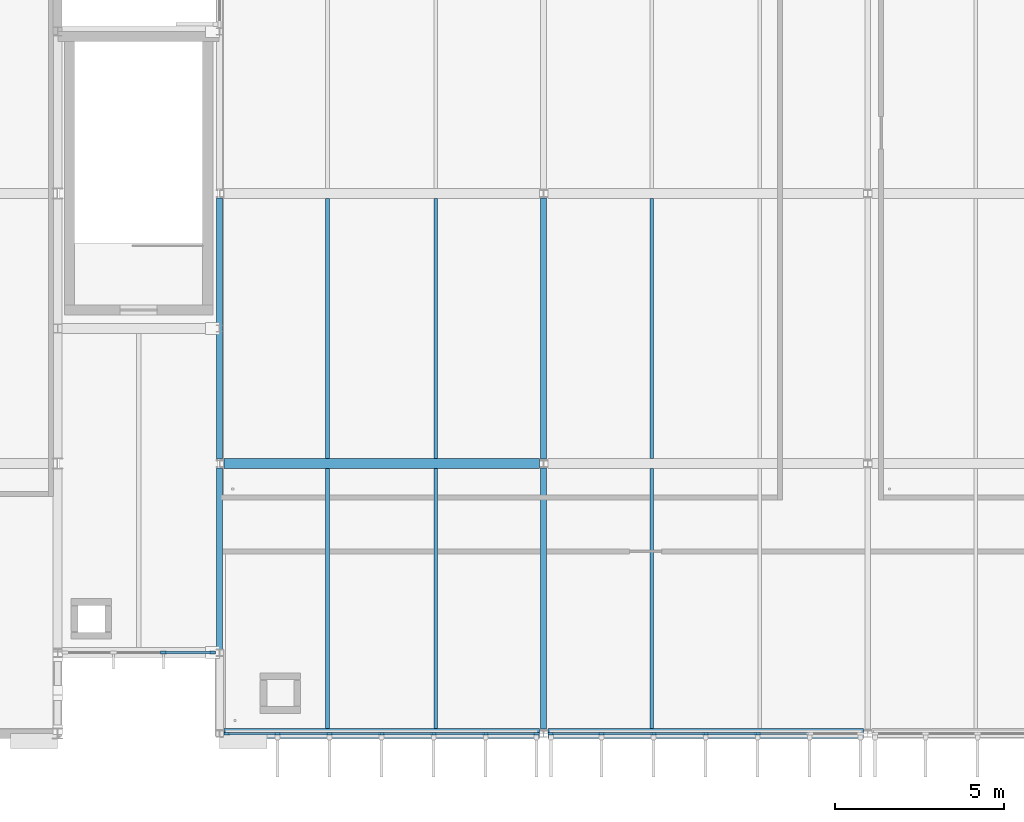
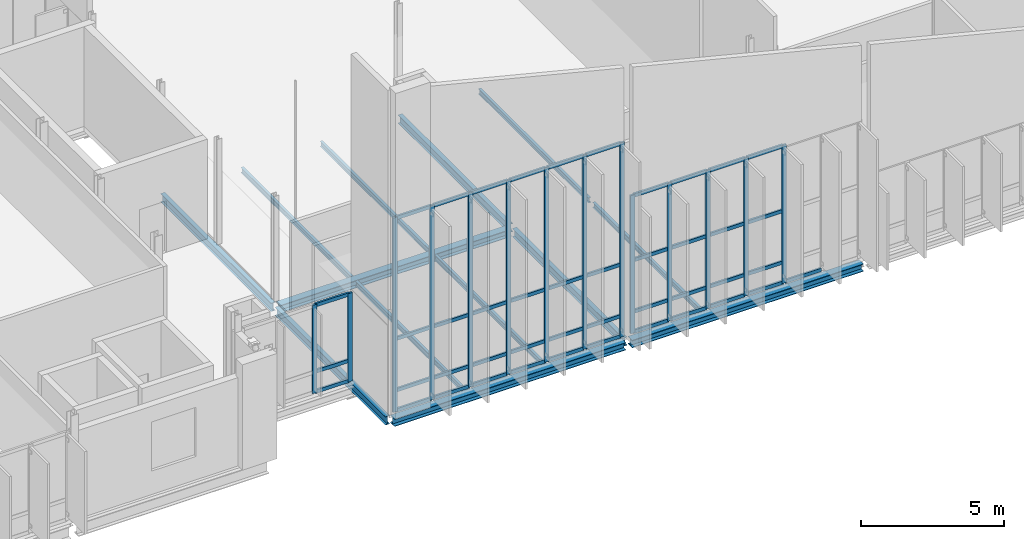
# One storey, part 43 of 110: 58 members, 13 beams, 3 elements without a shape of their own.
"""IFC4 building model written with IfcOpenShell, lengths in metres."""

import ifcopenshell
import ifcopenshell.guid

model = None  # the IFC model being written
_history = None  # IfcOwnerHistory: only IFC2X3 demands one
_inside = {}  # id of a spatial element -> (the spatial element, [elements in it])
_under = {}  # id of a project, library or spatial element -> (it, [spatial elements below it])
_declared = {}  # id of a project -> (the project, [libraries it declares])
_typed = {}  # id of a type object -> (the type object, [elements of that type])
_made_of = {}  # id of a material, layer set ... -> (it, [elements and type objects made of it])


def new_model(schema):
    """Start an empty IFC model of exactly this schema.

    Asked for "IFC4X3", IfcOpenShell would pick the latest addendum, in which some entities
    have other attributes; the version numbers below select the first issue.
    IFC2X3 requires an IfcOwnerHistory on every rooted entity: one is made here for all.
    """
    global model, _history
    if schema == "IFC4X3":
        model = ifcopenshell.file(schema_version=(4, 3, 0, 0))
    else:
        model = ifcopenshell.file(schema=schema)
    _inside.clear()
    _under.clear()
    _declared.clear()
    _typed.clear()
    _made_of.clear()
    _history = None
    if model.schema == "IFC2X3":
        org = make("IfcOrganization", Name="unknown")
        user = make(
            "IfcPersonAndOrganization",
            ThePerson=make("IfcPerson", FamilyName="unknown"),
            TheOrganization=org,
        )
        app = make(
            "IfcApplication",
            ApplicationDeveloper=org,
            Version="unknown",
            ApplicationFullName="unknown",
            ApplicationIdentifier="unknown",
        )
        _history = make(
            "IfcOwnerHistory",
            OwningUser=user,
            OwningApplication=app,
            ChangeAction="ADDED",
            CreationDate=0,
        )
    return model


def make(cls, **values):
    """One entity of the class cls with the attributes given. An attribute that is None is left unset."""
    return model.create_entity(
        cls, **{name: value for name, value in values.items() if value is not None}
    )


def rooted(cls, **values):
    """An entity with a GlobalId (a new one), such as an element, a storey or a relation."""
    return make(cls, GlobalId=ifcopenshell.guid.new(), OwnerHistory=_history, **values)


def si_unit(unit_type, name, prefix=None):
    """IfcSIUnit, for example si_unit("LENGTHUNIT", "METRE", prefix="MILLI")."""
    return make("IfcSIUnit", UnitType=unit_type, Prefix=prefix, Name=name)


def assignment(units):
    """IfcUnitAssignment: the units of a project."""
    return None if units is None else make("IfcUnitAssignment", Units=units)


def point(xyz):
    """IfcCartesianPoint."""
    return None if xyz is None else make("IfcCartesianPoint", Coordinates=xyz)


def direction(xyz):
    """IfcDirection."""
    return None if xyz is None else make("IfcDirection", DirectionRatios=xyz)


def frame(location, z_axis=None, x_axis=None):
    """IfcAxis2Placement3D, a coordinate frame: its origin and axes. An axis left out is left unset."""
    return make(
        "IfcAxis2Placement3D",
        Location=point(location),
        Axis=direction(z_axis),
        RefDirection=direction(x_axis),
    )


def frame_2d(location, x_axis=None):
    """IfcAxis2Placement2D, a coordinate frame in the plane: its origin and x axis."""
    return make(
        "IfcAxis2Placement2D", Location=point(location), RefDirection=direction(x_axis)
    )


def origin():
    """The frame at (0, 0, 0) with its axes left unset."""
    return frame((0.0, 0.0, 0.0))


def origin_2d():
    """The frame at (0, 0) in the plane with its x axis left unset."""
    return frame_2d((0.0, 0.0))


def place(relative_to, where):
    """IfcLocalPlacement: puts the frame where relative to a parent placement (None: the world)."""
    return make(
        "IfcLocalPlacement", PlacementRelTo=relative_to, RelativePlacement=where
    )


def context(
    kind, dimensions, precision=None, world=None, true_north=None, identifier=None
):
    """IfcGeometricRepresentationContext, for example the 3D "Model" context."""
    return make(
        "IfcGeometricRepresentationContext",
        ContextIdentifier=identifier,
        ContextType=kind,
        CoordinateSpaceDimension=dimensions,
        Precision=precision,
        WorldCoordinateSystem=world,
        TrueNorth=true_north,
    )


def subcontext(parent, identifier, kind, view, scale=None):
    """IfcGeometricRepresentationSubContext, for example "Body" below "Model"."""
    return make(
        "IfcGeometricRepresentationSubContext",
        ContextIdentifier=identifier,
        ContextType=kind,
        ParentContext=parent,
        TargetScale=scale,
        TargetView=view,
    )


def project(units=None, contexts=None):
    """IfcProject with its units and contexts."""
    return rooted(
        "IfcProject",
        Name="project",
        RepresentationContexts=contexts,
        UnitsInContext=assignment(units),
    )


def spatial(cls, under=None, at=None, **own):
    """A site, building, storey or space (cls), placed at a placement, below another one or the project."""
    s = rooted(cls, ObjectPlacement=at, **own)
    if under is not None:
        _under.setdefault(under.id(), (under, []))[1].append(s)
    return s


def profile(cls, at=None, kind="AREA", **sizes):
    """A parametric profile (cls). Its sizes go by their IFC names, for example OverallWidth=200.0."""
    return make(cls, ProfileType=kind, Position=at, **sizes)


def rectangle(**sizes):
    """IfcRectangleProfileDef."""
    return profile("IfcRectangleProfileDef", **sizes)


def i_section(**sizes):
    """IfcIShapeProfileDef."""
    return profile("IfcIShapeProfileDef", **sizes)


def extrude(swept, where, along, depth):
    """IfcExtrudedAreaSolid: the profile swept, set in the frame where, extruded along a direction by depth."""
    return make(
        "IfcExtrudedAreaSolid",
        SweptArea=swept,
        Position=where,
        ExtrudedDirection=direction(along),
        Depth=depth,
    )


def shape(context_of_items, identifier, shape_type, items):
    """IfcShapeRepresentation: the items that make up one representation, for example the "Body"."""
    return make(
        "IfcShapeRepresentation",
        ContextOfItems=context_of_items,
        RepresentationIdentifier=identifier,
        RepresentationType=shape_type,
        Items=items,
    )


def material(Name=None, Category=None):
    """IfcMaterial."""
    return make("IfcMaterial", Name=Name, Category=Category)


def material_profile(
    of_material, cross_section, Name=None, Category=None, Priority=None
):
    """IfcMaterialProfile: a cross section and its material."""
    return make(
        "IfcMaterialProfile",
        Name=Name,
        Material=of_material,
        Profile=cross_section,
        Priority=Priority,
        Category=Category,
    )


def profile_set(profiles, Name=None, composite=None):
    """IfcMaterialProfileSet."""
    return make(
        "IfcMaterialProfileSet",
        Name=Name,
        MaterialProfiles=profiles,
        CompositeProfile=composite,
    )


def made_of(thing, what):
    """Note that an element or type object is made of a material, layer set ...; save() writes the relation."""
    if what is not None:
        _made_of.setdefault(what.id(), (what, []))[1].append(thing)
    return thing


def type_object(cls, material=None, **own):
    """A type object (cls), such as IfcWallType, which elements share."""
    return made_of(rooted(cls, **own), material)


def element(
    cls,
    number,
    at=None,
    inside=None,
    cuts=None,
    type_object=None,
    material=None,
    context=None,
    identifier="Body",
    shape_type=None,
    held_by="IfcProductDefinitionShape",
    body=None,
    shapes=None,
    **own,
):
    """One element of the class cls, such as IfcWall. Its Tag is "e" and its number.

    at: its placement. inside: the storey or other place that contains it. cuts: it is an
    opening in that element (IfcRelVoidsElement). A single representation is given by context,
    identifier, shape_type and body (its items); several are given by shapes. held_by: the class
    of the entity that holds the representations. save() writes the other relations.
    """
    e = rooted(cls, Tag="e%d" % number, ObjectPlacement=at, **own)
    if body is not None:
        shapes = [shape(context, identifier, shape_type, body)]
    if shapes is not None:
        e.Representation = make(held_by, Representations=shapes)
    if inside is not None:
        _inside.setdefault(inside.id(), (inside, []))[1].append(e)
    if cuts is not None:
        rooted(
            "IfcRelVoidsElement", RelatingBuildingElement=cuts, RelatedOpeningElement=e
        )
    if type_object is not None:
        _typed.setdefault(type_object.id(), (type_object, []))[1].append(e)
    return made_of(e, material)


def aggregate(whole, parts):
    """IfcRelAggregates: a whole, such as a stair, and the parts it consists of."""
    return rooted("IfcRelAggregates", RelatingObject=whole, RelatedObjects=parts)


def save(model, path):
    """Write the relations noted so far, then the file.

    IfcRelAggregates (storeys below a building ...), IfcRelContainedInSpatialStructure (elements
    in a storey), IfcRelDefinesByType, IfcRelAssociatesMaterial and IfcRelDeclares: one each for
    every whole, place, type object, material and project.
    """
    for whole, parts in _under.values():
        aggregate(whole, parts)
    for where, things in _inside.values():
        rooted(
            "IfcRelContainedInSpatialStructure",
            RelatedElements=things,
            RelatingStructure=where,
        )
    for kind, things in _typed.values():
        rooted("IfcRelDefinesByType", RelatedObjects=things, RelatingType=kind)
    for what, things in _made_of.values():
        rooted("IfcRelAssociatesMaterial", RelatedObjects=things, RelatingMaterial=what)
    for by, libraries in _declared.values():
        rooted("IfcRelDeclares", RelatingContext=by, RelatedDefinitions=libraries)
    model.write(path)


model = new_model("IFC4")

# Units and contexts
model_context = context("Model", 3, precision=1e-05, world=origin(), true_north=direction((0.0, 1.0)))
body_context = subcontext(model_context, "Body", "Model", "MODEL_VIEW")
ifc_project = project(units=[si_unit("LENGTHUNIT", "METRE"), si_unit("AREAUNIT", "SQUARE_METRE"), si_unit("VOLUMEUNIT", "CUBIC_METRE"), si_unit("PLANEANGLEUNIT", "RADIAN"), si_unit("MASSUNIT", "GRAM", prefix="KILO")], contexts=[model_context])

# Site, building, storey
site_placement = place(None, origin())
site = spatial("IfcSite", under=ifc_project, at=site_placement, CompositionType="ELEMENT")
building_placement = place(site_placement, origin())
building = spatial("IfcBuilding", under=site, at=building_placement, Name="Dunescarp Central Library", CompositionType="ELEMENT")
storey_placement = place(building_placement, frame((0.0, 0.0, 9.60009765625)))
storey = spatial("IfcBuildingStorey", under=building, at=storey_placement, Name="L02", CompositionType="ELEMENT", Elevation=9.60009765625)

# Curtain wall, members
ifc_material_1 = material(Name="Marine-grade anodised aluminium 6063-T6", Category="aluminium")
curtain_wall_type_1 = type_object("IfcCurtainWallType", Name="ARC-CW-STICK", PredefinedType="NOTDEFINED", material=ifc_material_1)
curtain_wall_1_placement = place(storey_placement, origin())
curtain_wall_1 = element("IfcCurtainWall", 1, at=curtain_wall_1_placement, inside=storey, type_object=curtain_wall_type_1, Name="L02 curtain wall CW-V5-162", PredefinedType="NOTDEFINED")
ifc_material_profile_1 = material_profile(ifc_material_1, rectangle(XDim=0.080078125, YDim=0.179931640625, at=origin_2d()), Name="AL 80x180")
ifc_profile_set_1 = profile_set([ifc_material_profile_1], Name="Marine-grade anodised aluminium 6063-T6")
member_type_1 = type_object("IfcMemberType", Name="ARC-CWM-180", PredefinedType="MULLION", material=ifc_profile_set_1)
member_1_placement = place(storey_placement, frame((138.985107421875, 4.800048828125, 0.0), z_axis=(0.0, 0.0, 1.0), x_axis=(0.0, -1.0, 0.0)))
member_1 = element("IfcMember", 2, at=member_1_placement, type_object=member_type_1, Name="CW-V5-162 mullion 1", PredefinedType="MULLION", context=body_context, shape_type="SweptSolid", body=[
    extrude(rectangle(XDim=0.080078125, YDim=0.179931640625, at=origin_2d()), origin(), (0.0, 0.0, 1.0), 8.2998046875),
])
member_2_placement = place(storey_placement, frame((137.4833984375, 4.800048828125, 0.0), z_axis=(0.0, 0.0, 1.0), x_axis=(0.0, -1.0, 0.0)))
member_2 = element("IfcMember", 3, at=member_2_placement, type_object=member_type_1, Name="CW-V5-162 mullion 2", PredefinedType="MULLION", context=body_context, shape_type="SweptSolid", body=[
    extrude(rectangle(XDim=0.080078125, YDim=0.179931640625, at=origin_2d()), origin(), (0.0, 0.0, 1.0), 8.2998046875),
])
member_3_placement = place(storey_placement, frame((135.941650390625, 4.800048828125, 0.0), z_axis=(0.0, 0.0, 1.0), x_axis=(0.0, -1.0, 0.0)))
member_3 = element("IfcMember", 4, at=member_3_placement, type_object=member_type_1, Name="CW-V5-162 mullion 3", PredefinedType="MULLION", context=body_context, shape_type="SweptSolid", body=[
    extrude(rectangle(XDim=0.080078125, YDim=0.179931640625, at=origin_2d()), origin(), (0.0, 0.0, 1.0), 8.2998046875),
])
member_4_placement = place(storey_placement, frame((134.39990234375, 4.800048828125, 0.0), z_axis=(0.0, 0.0, 1.0), x_axis=(0.0, -1.0, 0.0)))
member_4 = element("IfcMember", 5, at=member_4_placement, type_object=member_type_1, Name="CW-V5-162 mullion 4", PredefinedType="MULLION", context=body_context, shape_type="SweptSolid", body=[
    extrude(rectangle(XDim=0.080078125, YDim=0.179931640625, at=origin_2d()), origin(), (0.0, 0.0, 1.0), 8.2998046875),
])
member_5_placement = place(storey_placement, frame((132.8583984375, 4.800048828125, 0.0), z_axis=(0.0, 0.0, 1.0), x_axis=(0.0, -1.0, 0.0)))
member_5 = element("IfcMember", 6, at=member_5_placement, type_object=member_type_1, Name="CW-V5-162 mullion 5", PredefinedType="MULLION", context=body_context, shape_type="SweptSolid", body=[
    extrude(rectangle(XDim=0.080078125, YDim=0.179931640625, at=origin_2d()), origin(), (0.0, 0.0, 1.0), 8.2998046875),
])
member_6_placement = place(storey_placement, frame((131.316650390625, 4.800048828125, 0.0), z_axis=(0.0, 0.0, 1.0), x_axis=(0.0, -1.0, 0.0)))
member_6 = element("IfcMember", 7, at=member_6_placement, type_object=member_type_1, Name="CW-V5-162 mullion 6", PredefinedType="MULLION", context=body_context, shape_type="SweptSolid", body=[
    extrude(rectangle(XDim=0.080078125, YDim=0.179931640625, at=origin_2d()), origin(), (0.0, 0.0, 1.0), 8.2998046875),
])
member_7_placement = place(storey_placement, frame((129.81494140625, 4.800048828125, 0.0), z_axis=(0.0, 0.0, 1.0), x_axis=(0.0, -1.0, 0.0)))
member_7 = element("IfcMember", 8, at=member_7_placement, type_object=member_type_1, Name="CW-V5-162 mullion 7", PredefinedType="MULLION", context=body_context, shape_type="SweptSolid", body=[
    extrude(rectangle(XDim=0.080078125, YDim=0.179931640625, at=origin_2d()), origin(), (0.0, 0.0, 1.0), 8.2998046875),
])

curtain_wall_2_placement = place(storey_placement, origin())
curtain_wall_2 = element("IfcCurtainWall", 9, at=curtain_wall_2_placement, inside=storey, type_object=curtain_wall_type_1, Name="L02 curtain wall CW-V5-163", PredefinedType="NOTDEFINED")
member_8_placement = place(storey_placement, frame((145.541748046875, 4.800048828125, 0.0), z_axis=(0.0, 0.0, 1.0), x_axis=(0.0, -1.0, 0.0)))
member_8 = element("IfcMember", 10, at=member_8_placement, type_object=member_type_1, Name="CW-V5-163 mullion 3", PredefinedType="MULLION", context=body_context, shape_type="SweptSolid", body=[
    extrude(rectangle(XDim=0.080078125, YDim=0.179931640625, at=origin_2d()), origin(), (0.0, 0.0, 1.0), 5.89990234375),
])
member_9_placement = place(storey_placement, frame((144.0, 4.800048828125, 0.0), z_axis=(0.0, 0.0, 1.0), x_axis=(0.0, -1.0, 0.0)))
member_9 = element("IfcMember", 11, at=member_9_placement, type_object=member_type_1, Name="CW-V5-163 mullion 4", PredefinedType="MULLION", context=body_context, shape_type="SweptSolid", body=[
    extrude(rectangle(XDim=0.080078125, YDim=0.179931640625, at=origin_2d()), origin(), (0.0, 0.0, 1.0), 5.89990234375),
])
member_10_placement = place(storey_placement, frame((142.458251953125, 4.800048828125, 0.0), z_axis=(0.0, 0.0, 1.0), x_axis=(0.0, -1.0, 0.0)))
member_10 = element("IfcMember", 12, at=member_10_placement, type_object=member_type_1, Name="CW-V5-163 mullion 5", PredefinedType="MULLION", context=body_context, shape_type="SweptSolid", body=[
    extrude(rectangle(XDim=0.080078125, YDim=0.179931640625, at=origin_2d()), origin(), (0.0, 0.0, 1.0), 5.89990234375),
])
member_11_placement = place(storey_placement, frame((140.916748046875, 4.800048828125, 0.0), z_axis=(0.0, 0.0, 1.0), x_axis=(0.0, -1.0, 0.0)))
member_11 = element("IfcMember", 13, at=member_11_placement, type_object=member_type_1, Name="CW-V5-163 mullion 6", PredefinedType="MULLION", context=body_context, shape_type="SweptSolid", body=[
    extrude(rectangle(XDim=0.080078125, YDim=0.179931640625, at=origin_2d()), origin(), (0.0, 0.0, 1.0), 5.89990234375),
])
member_12_placement = place(storey_placement, frame((139.4150390625, 4.800048828125, 0.0), z_axis=(0.0, 0.0, 1.0), x_axis=(0.0, -1.0, 0.0)))
member_12 = element("IfcMember", 14, at=member_12_placement, type_object=member_type_1, Name="CW-V5-163 mullion 7", PredefinedType="MULLION", context=body_context, shape_type="SweptSolid", body=[
    extrude(rectangle(XDim=0.080078125, YDim=0.179931640625, at=origin_2d()), origin(), (0.0, 0.0, 1.0), 5.89990234375),
])

curtain_wall_type_2 = type_object("IfcCurtainWallType", Name="ARC-CW-LINK", PredefinedType="USERDEFINED", material=ifc_material_1)
curtain_wall_3_placement = place(storey_placement, origin())
curtain_wall_3 = element("IfcCurtainWall", 15, at=curtain_wall_3_placement, inside=storey, type_object=curtain_wall_type_2, Name="L02 curtain wall CW-GL3-S-L02", ObjectType="GLAZED_LINK_WALL", PredefinedType="USERDEFINED")
member_13_placement = place(storey_placement, frame((129.385009765625, 7.199951171875, 0.0), z_axis=(0.0, 0.0, 1.0), x_axis=(0.0, -1.0, 0.0)))
member_13 = element("IfcMember", 16, at=member_13_placement, type_object=member_type_1, Name="CW-GL3-S-L02 mullion 1", PredefinedType="MULLION", context=body_context, shape_type="SweptSolid", body=[
    extrude(rectangle(XDim=0.080078125, YDim=0.179931640625, at=origin_2d()), origin(), (0.0, 0.0, 1.0), 3.77490234375),
])
member_14_placement = place(storey_placement, frame((127.941650390625, 7.199951171875, 0.0), z_axis=(0.0, 0.0, 1.0), x_axis=(0.0, -1.0, 0.0)))
member_14 = element("IfcMember", 17, at=member_14_placement, type_object=member_type_1, Name="CW-GL3-S-L02 mullion 2", PredefinedType="MULLION", context=body_context, shape_type="SweptSolid", body=[
    extrude(rectangle(XDim=0.080078125, YDim=0.179931640625, at=origin_2d()), origin(), (0.0, 0.0, 1.0), 3.77490234375),
])

# Member
ifc_material_profile_2 = material_profile(ifc_material_1, rectangle(XDim=0.080078125, YDim=0.14990234375, at=origin_2d()), Name="AL 80x150")
ifc_profile_set_2 = profile_set([ifc_material_profile_2], Name="Marine-grade anodised aluminium 6063-T6")
member_type_2 = type_object("IfcMemberType", Name="ARC-CWT-150", PredefinedType="USERDEFINED", material=ifc_profile_set_2)
member_15_placement = place(storey_placement, frame((138.945068359375, 4.800048828125, 0.039794921875), z_axis=(-1.0, 0.0, 0.0), x_axis=(0.0, -1.0, 0.0)))
member_15 = element("IfcMember", 18, at=member_15_placement, type_object=member_type_2, Name="CW-V5-162 transom 1.1", ObjectType="TRANSOM", PredefinedType="USERDEFINED", context=body_context, shape_type="SweptSolid", body=[
    extrude(rectangle(XDim=0.080078125, YDim=0.14990234375, at=origin_2d()), origin(), (0.0, 0.0, 1.0), 1.421630859375),
])

member_16_placement = place(storey_placement, frame((138.945068359375, 4.800048828125, 0.89990234375), z_axis=(-1.0, 0.0, 0.0), x_axis=(0.0, -1.0, 0.0)))
member_16 = element("IfcMember", 19, at=member_16_placement, type_object=member_type_2, Name="CW-V5-162 transom 1.2", ObjectType="TRANSOM", PredefinedType="USERDEFINED", context=body_context, shape_type="SweptSolid", body=[
    extrude(rectangle(XDim=0.080078125, YDim=0.14990234375, at=origin_2d()), origin(), (0.0, 0.0, 1.0), 1.421630859375),
])

member_17_placement = place(storey_placement, frame((138.945068359375, 4.800048828125, 3.099853515625), z_axis=(-1.0, 0.0, 0.0), x_axis=(0.0, -1.0, 0.0)))
member_17 = element("IfcMember", 20, at=member_17_placement, type_object=member_type_2, Name="CW-V5-162 transom 1.3", ObjectType="TRANSOM", PredefinedType="USERDEFINED", context=body_context, shape_type="SweptSolid", body=[
    extrude(rectangle(XDim=0.080078125, YDim=0.14990234375, at=origin_2d()), origin(), (0.0, 0.0, 1.0), 1.421630859375),
])

member_18_placement = place(storey_placement, frame((138.945068359375, 4.800048828125, 8.260009765625), z_axis=(-1.0, 0.0, 0.0), x_axis=(0.0, -1.0, 0.0)))
member_18 = element("IfcMember", 21, at=member_18_placement, type_object=member_type_2, Name="CW-V5-162 transom 1.4", ObjectType="TRANSOM", PredefinedType="USERDEFINED", context=body_context, shape_type="SweptSolid", body=[
    extrude(rectangle(XDim=0.080078125, YDim=0.14990234375, at=origin_2d()), origin(), (0.0, 0.0, 1.0), 1.421630859375),
])

member_19_placement = place(storey_placement, frame((137.443359375, 4.800048828125, 0.039794921875), z_axis=(-1.0, 0.0, 0.0), x_axis=(0.0, -1.0, 0.0)))
member_19 = element("IfcMember", 22, at=member_19_placement, type_object=member_type_2, Name="CW-V5-162 transom 2.1", ObjectType="TRANSOM", PredefinedType="USERDEFINED", context=body_context, shape_type="SweptSolid", body=[
    extrude(rectangle(XDim=0.080078125, YDim=0.14990234375, at=origin_2d()), origin(), (0.0, 0.0, 1.0), 1.461669921875),
])

member_20_placement = place(storey_placement, frame((137.443359375, 4.800048828125, 0.89990234375), z_axis=(-1.0, 0.0, 0.0), x_axis=(0.0, -1.0, 0.0)))
member_20 = element("IfcMember", 23, at=member_20_placement, type_object=member_type_2, Name="CW-V5-162 transom 2.2", ObjectType="TRANSOM", PredefinedType="USERDEFINED", context=body_context, shape_type="SweptSolid", body=[
    extrude(rectangle(XDim=0.080078125, YDim=0.14990234375, at=origin_2d()), origin(), (0.0, 0.0, 1.0), 1.461669921875),
])

member_21_placement = place(storey_placement, frame((137.443359375, 4.800048828125, 3.099853515625), z_axis=(-1.0, 0.0, 0.0), x_axis=(0.0, -1.0, 0.0)))
member_21 = element("IfcMember", 24, at=member_21_placement, type_object=member_type_2, Name="CW-V5-162 transom 2.3", ObjectType="TRANSOM", PredefinedType="USERDEFINED", context=body_context, shape_type="SweptSolid", body=[
    extrude(rectangle(XDim=0.080078125, YDim=0.14990234375, at=origin_2d()), origin(), (0.0, 0.0, 1.0), 1.461669921875),
])

member_22_placement = place(storey_placement, frame((137.443359375, 4.800048828125, 8.260009765625), z_axis=(-1.0, 0.0, 0.0), x_axis=(0.0, -1.0, 0.0)))
member_22 = element("IfcMember", 25, at=member_22_placement, type_object=member_type_2, Name="CW-V5-162 transom 2.4", ObjectType="TRANSOM", PredefinedType="USERDEFINED", context=body_context, shape_type="SweptSolid", body=[
    extrude(rectangle(XDim=0.080078125, YDim=0.14990234375, at=origin_2d()), origin(), (0.0, 0.0, 1.0), 1.461669921875),
])

member_23_placement = place(storey_placement, frame((135.901611328125, 4.800048828125, 0.039794921875), z_axis=(-1.0, 0.0, 0.0), x_axis=(0.0, -1.0, 0.0)))
member_23 = element("IfcMember", 26, at=member_23_placement, type_object=member_type_2, Name="CW-V5-162 transom 3.1", ObjectType="TRANSOM", PredefinedType="USERDEFINED", context=body_context, shape_type="SweptSolid", body=[
    extrude(rectangle(XDim=0.080078125, YDim=0.14990234375, at=origin_2d()), origin(), (0.0, 0.0, 1.0), 1.461669921875),
])

member_24_placement = place(storey_placement, frame((135.901611328125, 4.800048828125, 0.89990234375), z_axis=(-1.0, 0.0, 0.0), x_axis=(0.0, -1.0, 0.0)))
member_24 = element("IfcMember", 27, at=member_24_placement, type_object=member_type_2, Name="CW-V5-162 transom 3.2", ObjectType="TRANSOM", PredefinedType="USERDEFINED", context=body_context, shape_type="SweptSolid", body=[
    extrude(rectangle(XDim=0.080078125, YDim=0.14990234375, at=origin_2d()), origin(), (0.0, 0.0, 1.0), 1.461669921875),
])

member_25_placement = place(storey_placement, frame((135.901611328125, 4.800048828125, 3.099853515625), z_axis=(-1.0, 0.0, 0.0), x_axis=(0.0, -1.0, 0.0)))
member_25 = element("IfcMember", 28, at=member_25_placement, type_object=member_type_2, Name="CW-V5-162 transom 3.3", ObjectType="TRANSOM", PredefinedType="USERDEFINED", context=body_context, shape_type="SweptSolid", body=[
    extrude(rectangle(XDim=0.080078125, YDim=0.14990234375, at=origin_2d()), origin(), (0.0, 0.0, 1.0), 1.461669921875),
])

member_26_placement = place(storey_placement, frame((135.901611328125, 4.800048828125, 8.260009765625), z_axis=(-1.0, 0.0, 0.0), x_axis=(0.0, -1.0, 0.0)))
member_26 = element("IfcMember", 29, at=member_26_placement, type_object=member_type_2, Name="CW-V5-162 transom 3.4", ObjectType="TRANSOM", PredefinedType="USERDEFINED", context=body_context, shape_type="SweptSolid", body=[
    extrude(rectangle(XDim=0.080078125, YDim=0.14990234375, at=origin_2d()), origin(), (0.0, 0.0, 1.0), 1.461669921875),
])

member_27_placement = place(storey_placement, frame((134.360107421875, 4.800048828125, 0.039794921875), z_axis=(-1.0, 0.0, 0.0), x_axis=(0.0, -1.0, 0.0)))
member_27 = element("IfcMember", 30, at=member_27_placement, type_object=member_type_2, Name="CW-V5-162 transom 4.1", ObjectType="TRANSOM", PredefinedType="USERDEFINED", context=body_context, shape_type="SweptSolid", body=[
    extrude(rectangle(XDim=0.080078125, YDim=0.14990234375, at=origin_2d()), origin(), (0.0, 0.0, 1.0), 1.461669921875),
])

member_28_placement = place(storey_placement, frame((134.360107421875, 4.800048828125, 0.89990234375), z_axis=(-1.0, 0.0, 0.0), x_axis=(0.0, -1.0, 0.0)))
member_28 = element("IfcMember", 31, at=member_28_placement, type_object=member_type_2, Name="CW-V5-162 transom 4.2", ObjectType="TRANSOM", PredefinedType="USERDEFINED", context=body_context, shape_type="SweptSolid", body=[
    extrude(rectangle(XDim=0.080078125, YDim=0.14990234375, at=origin_2d()), origin(), (0.0, 0.0, 1.0), 1.461669921875),
])

member_29_placement = place(storey_placement, frame((134.360107421875, 4.800048828125, 3.099853515625), z_axis=(-1.0, 0.0, 0.0), x_axis=(0.0, -1.0, 0.0)))
member_29 = element("IfcMember", 32, at=member_29_placement, type_object=member_type_2, Name="CW-V5-162 transom 4.3", ObjectType="TRANSOM", PredefinedType="USERDEFINED", context=body_context, shape_type="SweptSolid", body=[
    extrude(rectangle(XDim=0.080078125, YDim=0.14990234375, at=origin_2d()), origin(), (0.0, 0.0, 1.0), 1.461669921875),
])

member_30_placement = place(storey_placement, frame((134.360107421875, 4.800048828125, 8.260009765625), z_axis=(-1.0, 0.0, 0.0), x_axis=(0.0, -1.0, 0.0)))
member_30 = element("IfcMember", 33, at=member_30_placement, type_object=member_type_2, Name="CW-V5-162 transom 4.4", ObjectType="TRANSOM", PredefinedType="USERDEFINED", context=body_context, shape_type="SweptSolid", body=[
    extrude(rectangle(XDim=0.080078125, YDim=0.14990234375, at=origin_2d()), origin(), (0.0, 0.0, 1.0), 1.461669921875),
])

member_31_placement = place(storey_placement, frame((132.818359375, 4.800048828125, 0.039794921875), z_axis=(-1.0, 0.0, 0.0), x_axis=(0.0, -1.0, 0.0)))
member_31 = element("IfcMember", 34, at=member_31_placement, type_object=member_type_2, Name="CW-V5-162 transom 5.1", ObjectType="TRANSOM", PredefinedType="USERDEFINED", context=body_context, shape_type="SweptSolid", body=[
    extrude(rectangle(XDim=0.080078125, YDim=0.14990234375, at=origin_2d()), origin(), (0.0, 0.0, 1.0), 1.461669921875),
])

member_32_placement = place(storey_placement, frame((132.818359375, 4.800048828125, 0.89990234375), z_axis=(-1.0, 0.0, 0.0), x_axis=(0.0, -1.0, 0.0)))
member_32 = element("IfcMember", 35, at=member_32_placement, type_object=member_type_2, Name="CW-V5-162 transom 5.2", ObjectType="TRANSOM", PredefinedType="USERDEFINED", context=body_context, shape_type="SweptSolid", body=[
    extrude(rectangle(XDim=0.080078125, YDim=0.14990234375, at=origin_2d()), origin(), (0.0, 0.0, 1.0), 1.461669921875),
])

member_33_placement = place(storey_placement, frame((132.818359375, 4.800048828125, 3.099853515625), z_axis=(-1.0, 0.0, 0.0), x_axis=(0.0, -1.0, 0.0)))
member_33 = element("IfcMember", 36, at=member_33_placement, type_object=member_type_2, Name="CW-V5-162 transom 5.3", ObjectType="TRANSOM", PredefinedType="USERDEFINED", context=body_context, shape_type="SweptSolid", body=[
    extrude(rectangle(XDim=0.080078125, YDim=0.14990234375, at=origin_2d()), origin(), (0.0, 0.0, 1.0), 1.461669921875),
])

member_34_placement = place(storey_placement, frame((132.818359375, 4.800048828125, 8.260009765625), z_axis=(-1.0, 0.0, 0.0), x_axis=(0.0, -1.0, 0.0)))
member_34 = element("IfcMember", 37, at=member_34_placement, type_object=member_type_2, Name="CW-V5-162 transom 5.4", ObjectType="TRANSOM", PredefinedType="USERDEFINED", context=body_context, shape_type="SweptSolid", body=[
    extrude(rectangle(XDim=0.080078125, YDim=0.14990234375, at=origin_2d()), origin(), (0.0, 0.0, 1.0), 1.461669921875),
])

member_35_placement = place(storey_placement, frame((131.276611328125, 4.800048828125, 0.039794921875), z_axis=(-1.0, 0.0, 0.0), x_axis=(0.0, -1.0, 0.0)))
member_35 = element("IfcMember", 38, at=member_35_placement, type_object=member_type_2, Name="CW-V5-162 transom 6.1", ObjectType="TRANSOM", PredefinedType="USERDEFINED", context=body_context, shape_type="SweptSolid", body=[
    extrude(rectangle(XDim=0.080078125, YDim=0.14990234375, at=origin_2d()), origin(), (0.0, 0.0, 1.0), 1.421630859375),
])

member_36_placement = place(storey_placement, frame((131.276611328125, 4.800048828125, 0.89990234375), z_axis=(-1.0, 0.0, 0.0), x_axis=(0.0, -1.0, 0.0)))
member_36 = element("IfcMember", 39, at=member_36_placement, type_object=member_type_2, Name="CW-V5-162 transom 6.2", ObjectType="TRANSOM", PredefinedType="USERDEFINED", context=body_context, shape_type="SweptSolid", body=[
    extrude(rectangle(XDim=0.080078125, YDim=0.14990234375, at=origin_2d()), origin(), (0.0, 0.0, 1.0), 1.421630859375),
])

member_37_placement = place(storey_placement, frame((131.276611328125, 4.800048828125, 3.099853515625), z_axis=(-1.0, 0.0, 0.0), x_axis=(0.0, -1.0, 0.0)))
member_37 = element("IfcMember", 40, at=member_37_placement, type_object=member_type_2, Name="CW-V5-162 transom 6.3", ObjectType="TRANSOM", PredefinedType="USERDEFINED", context=body_context, shape_type="SweptSolid", body=[
    extrude(rectangle(XDim=0.080078125, YDim=0.14990234375, at=origin_2d()), origin(), (0.0, 0.0, 1.0), 1.421630859375),
])

member_38_placement = place(storey_placement, frame((131.276611328125, 4.800048828125, 8.260009765625), z_axis=(-1.0, 0.0, 0.0), x_axis=(0.0, -1.0, 0.0)))
member_38 = element("IfcMember", 41, at=member_38_placement, type_object=member_type_2, Name="CW-V5-162 transom 6.4", ObjectType="TRANSOM", PredefinedType="USERDEFINED", context=body_context, shape_type="SweptSolid", body=[
    extrude(rectangle(XDim=0.080078125, YDim=0.14990234375, at=origin_2d()), origin(), (0.0, 0.0, 1.0), 1.421630859375),
])

aggregate(curtain_wall_1, [member_1, member_2, member_3, member_4, member_5, member_6, member_7, member_15, member_16, member_17, member_18, member_19, member_20, member_21, member_22, member_23, member_24, member_25, member_26, member_27, member_28, member_29, member_30, member_31, member_32, member_33, member_34, member_35, member_36, member_37, member_38])

member_39_placement = place(storey_placement, frame((147.043212890625, 4.800048828125, 0.039794921875), z_axis=(-1.0, 0.0, 0.0), x_axis=(0.0, -1.0, 0.0)))
member_39 = element("IfcMember", 42, at=member_39_placement, type_object=member_type_2, Name="CW-V5-163 transom 2.1", ObjectType="TRANSOM", PredefinedType="USERDEFINED", context=body_context, shape_type="SweptSolid", body=[
    extrude(rectangle(XDim=0.080078125, YDim=0.14990234375, at=origin_2d()), origin(), (0.0, 0.0, 1.0), 1.46142578125),
])

member_40_placement = place(storey_placement, frame((145.501708984375, 4.800048828125, 0.039794921875), z_axis=(-1.0, 0.0, 0.0), x_axis=(0.0, -1.0, 0.0)))
member_40 = element("IfcMember", 43, at=member_40_placement, type_object=member_type_2, Name="CW-V5-163 transom 3.1", ObjectType="TRANSOM", PredefinedType="USERDEFINED", context=body_context, shape_type="SweptSolid", body=[
    extrude(rectangle(XDim=0.080078125, YDim=0.14990234375, at=origin_2d()), origin(), (0.0, 0.0, 1.0), 1.461669921875),
])

member_41_placement = place(storey_placement, frame((145.501708984375, 4.800048828125, 0.89990234375), z_axis=(-1.0, 0.0, 0.0), x_axis=(0.0, -1.0, 0.0)))
member_41 = element("IfcMember", 44, at=member_41_placement, type_object=member_type_2, Name="CW-V5-163 transom 3.2", ObjectType="TRANSOM", PredefinedType="USERDEFINED", context=body_context, shape_type="SweptSolid", body=[
    extrude(rectangle(XDim=0.080078125, YDim=0.14990234375, at=origin_2d()), origin(), (0.0, 0.0, 1.0), 1.461669921875),
])

member_42_placement = place(storey_placement, frame((145.501708984375, 4.800048828125, 3.099853515625), z_axis=(-1.0, 0.0, 0.0), x_axis=(0.0, -1.0, 0.0)))
member_42 = element("IfcMember", 45, at=member_42_placement, type_object=member_type_2, Name="CW-V5-163 transom 3.3", ObjectType="TRANSOM", PredefinedType="USERDEFINED", context=body_context, shape_type="SweptSolid", body=[
    extrude(rectangle(XDim=0.080078125, YDim=0.14990234375, at=origin_2d()), origin(), (0.0, 0.0, 1.0), 1.461669921875),
])

member_43_placement = place(storey_placement, frame((145.501708984375, 4.800048828125, 5.85986328125), z_axis=(-1.0, 0.0, 0.0), x_axis=(0.0, -1.0, 0.0)))
member_43 = element("IfcMember", 46, at=member_43_placement, type_object=member_type_2, Name="CW-V5-163 transom 3.4", ObjectType="TRANSOM", PredefinedType="USERDEFINED", context=body_context, shape_type="SweptSolid", body=[
    extrude(rectangle(XDim=0.080078125, YDim=0.14990234375, at=origin_2d()), origin(), (0.0, 0.0, 1.0), 1.461669921875),
])

member_44_placement = place(storey_placement, frame((143.9599609375, 4.800048828125, 0.039794921875), z_axis=(-1.0, 0.0, 0.0), x_axis=(0.0, -1.0, 0.0)))
member_44 = element("IfcMember", 47, at=member_44_placement, type_object=member_type_2, Name="CW-V5-163 transom 4.1", ObjectType="TRANSOM", PredefinedType="USERDEFINED", context=body_context, shape_type="SweptSolid", body=[
    extrude(rectangle(XDim=0.080078125, YDim=0.14990234375, at=origin_2d()), origin(), (0.0, 0.0, 1.0), 1.461669921875),
])

member_45_placement = place(storey_placement, frame((143.9599609375, 4.800048828125, 0.89990234375), z_axis=(-1.0, 0.0, 0.0), x_axis=(0.0, -1.0, 0.0)))
member_45 = element("IfcMember", 48, at=member_45_placement, type_object=member_type_2, Name="CW-V5-163 transom 4.2", ObjectType="TRANSOM", PredefinedType="USERDEFINED", context=body_context, shape_type="SweptSolid", body=[
    extrude(rectangle(XDim=0.080078125, YDim=0.14990234375, at=origin_2d()), origin(), (0.0, 0.0, 1.0), 1.461669921875),
])

member_46_placement = place(storey_placement, frame((143.9599609375, 4.800048828125, 3.099853515625), z_axis=(-1.0, 0.0, 0.0), x_axis=(0.0, -1.0, 0.0)))
member_46 = element("IfcMember", 49, at=member_46_placement, type_object=member_type_2, Name="CW-V5-163 transom 4.3", ObjectType="TRANSOM", PredefinedType="USERDEFINED", context=body_context, shape_type="SweptSolid", body=[
    extrude(rectangle(XDim=0.080078125, YDim=0.14990234375, at=origin_2d()), origin(), (0.0, 0.0, 1.0), 1.461669921875),
])

member_47_placement = place(storey_placement, frame((143.9599609375, 4.800048828125, 5.85986328125), z_axis=(-1.0, 0.0, 0.0), x_axis=(0.0, -1.0, 0.0)))
member_47 = element("IfcMember", 50, at=member_47_placement, type_object=member_type_2, Name="CW-V5-163 transom 4.4", ObjectType="TRANSOM", PredefinedType="USERDEFINED", context=body_context, shape_type="SweptSolid", body=[
    extrude(rectangle(XDim=0.080078125, YDim=0.14990234375, at=origin_2d()), origin(), (0.0, 0.0, 1.0), 1.461669921875),
])

member_48_placement = place(storey_placement, frame((142.418212890625, 4.800048828125, 0.039794921875), z_axis=(-1.0, 0.0, 0.0), x_axis=(0.0, -1.0, 0.0)))
member_48 = element("IfcMember", 51, at=member_48_placement, type_object=member_type_2, Name="CW-V5-163 transom 5.1", ObjectType="TRANSOM", PredefinedType="USERDEFINED", context=body_context, shape_type="SweptSolid", body=[
    extrude(rectangle(XDim=0.080078125, YDim=0.14990234375, at=origin_2d()), origin(), (0.0, 0.0, 1.0), 1.46142578125),
])

member_49_placement = place(storey_placement, frame((142.418212890625, 4.800048828125, 0.89990234375), z_axis=(-1.0, 0.0, 0.0), x_axis=(0.0, -1.0, 0.0)))
member_49 = element("IfcMember", 52, at=member_49_placement, type_object=member_type_2, Name="CW-V5-163 transom 5.2", ObjectType="TRANSOM", PredefinedType="USERDEFINED", context=body_context, shape_type="SweptSolid", body=[
    extrude(rectangle(XDim=0.080078125, YDim=0.14990234375, at=origin_2d()), origin(), (0.0, 0.0, 1.0), 1.46142578125),
])

member_50_placement = place(storey_placement, frame((142.418212890625, 4.800048828125, 3.099853515625), z_axis=(-1.0, 0.0, 0.0), x_axis=(0.0, -1.0, 0.0)))
member_50 = element("IfcMember", 53, at=member_50_placement, type_object=member_type_2, Name="CW-V5-163 transom 5.3", ObjectType="TRANSOM", PredefinedType="USERDEFINED", context=body_context, shape_type="SweptSolid", body=[
    extrude(rectangle(XDim=0.080078125, YDim=0.14990234375, at=origin_2d()), origin(), (0.0, 0.0, 1.0), 1.46142578125),
])

member_51_placement = place(storey_placement, frame((142.418212890625, 4.800048828125, 5.85986328125), z_axis=(-1.0, 0.0, 0.0), x_axis=(0.0, -1.0, 0.0)))
member_51 = element("IfcMember", 54, at=member_51_placement, type_object=member_type_2, Name="CW-V5-163 transom 5.4", ObjectType="TRANSOM", PredefinedType="USERDEFINED", context=body_context, shape_type="SweptSolid", body=[
    extrude(rectangle(XDim=0.080078125, YDim=0.14990234375, at=origin_2d()), origin(), (0.0, 0.0, 1.0), 1.46142578125),
])

member_52_placement = place(storey_placement, frame((140.876708984375, 4.800048828125, 0.039794921875), z_axis=(-1.0, 0.0, 0.0), x_axis=(0.0, -1.0, 0.0)))
member_52 = element("IfcMember", 55, at=member_52_placement, type_object=member_type_2, Name="CW-V5-163 transom 6.1", ObjectType="TRANSOM", PredefinedType="USERDEFINED", context=body_context, shape_type="SweptSolid", body=[
    extrude(rectangle(XDim=0.080078125, YDim=0.14990234375, at=origin_2d()), origin(), (0.0, 0.0, 1.0), 1.421630859375),
])

member_53_placement = place(storey_placement, frame((140.876708984375, 4.800048828125, 0.89990234375), z_axis=(-1.0, 0.0, 0.0), x_axis=(0.0, -1.0, 0.0)))
member_53 = element("IfcMember", 56, at=member_53_placement, type_object=member_type_2, Name="CW-V5-163 transom 6.2", ObjectType="TRANSOM", PredefinedType="USERDEFINED", context=body_context, shape_type="SweptSolid", body=[
    extrude(rectangle(XDim=0.080078125, YDim=0.14990234375, at=origin_2d()), origin(), (0.0, 0.0, 1.0), 1.421630859375),
])

member_54_placement = place(storey_placement, frame((140.876708984375, 4.800048828125, 3.099853515625), z_axis=(-1.0, 0.0, 0.0), x_axis=(0.0, -1.0, 0.0)))
member_54 = element("IfcMember", 57, at=member_54_placement, type_object=member_type_2, Name="CW-V5-163 transom 6.3", ObjectType="TRANSOM", PredefinedType="USERDEFINED", context=body_context, shape_type="SweptSolid", body=[
    extrude(rectangle(XDim=0.080078125, YDim=0.14990234375, at=origin_2d()), origin(), (0.0, 0.0, 1.0), 1.421630859375),
])

member_55_placement = place(storey_placement, frame((140.876708984375, 4.800048828125, 5.85986328125), z_axis=(-1.0, 0.0, 0.0), x_axis=(0.0, -1.0, 0.0)))
member_55 = element("IfcMember", 58, at=member_55_placement, type_object=member_type_2, Name="CW-V5-163 transom 6.4", ObjectType="TRANSOM", PredefinedType="USERDEFINED", context=body_context, shape_type="SweptSolid", body=[
    extrude(rectangle(XDim=0.080078125, YDim=0.14990234375, at=origin_2d()), origin(), (0.0, 0.0, 1.0), 1.421630859375),
])

aggregate(curtain_wall_2, [member_8, member_9, member_10, member_11, member_12, member_39, member_40, member_41, member_42, member_43, member_44, member_45, member_46, member_47, member_48, member_49, member_50, member_51, member_52, member_53, member_54, member_55])

member_56_placement = place(storey_placement, frame((129.344970703125, 7.199951171875, 0.039794921875), z_axis=(-1.0, 0.0, 0.0), x_axis=(0.0, -1.0, 0.0)))
member_56 = element("IfcMember", 59, at=member_56_placement, type_object=member_type_2, Name="CW-GL3-S-L02 transom 1.1", ObjectType="TRANSOM", PredefinedType="USERDEFINED", context=body_context, shape_type="SweptSolid", body=[
    extrude(rectangle(XDim=0.080078125, YDim=0.14990234375, at=origin_2d()), origin(), (0.0, 0.0, 1.0), 1.36328125),
])

member_57_placement = place(storey_placement, frame((129.344970703125, 7.199951171875, 0.89990234375), z_axis=(-1.0, 0.0, 0.0), x_axis=(0.0, -1.0, 0.0)))
member_57 = element("IfcMember", 60, at=member_57_placement, type_object=member_type_2, Name="CW-GL3-S-L02 transom 1.2", ObjectType="TRANSOM", PredefinedType="USERDEFINED", context=body_context, shape_type="SweptSolid", body=[
    extrude(rectangle(XDim=0.080078125, YDim=0.14990234375, at=origin_2d()), origin(), (0.0, 0.0, 1.0), 1.36328125),
])

member_58_placement = place(storey_placement, frame((129.344970703125, 7.199951171875, 3.73486328125), z_axis=(-1.0, 0.0, 0.0), x_axis=(0.0, -1.0, 0.0)))
member_58 = element("IfcMember", 61, at=member_58_placement, type_object=member_type_2, Name="CW-GL3-S-L02 transom 1.3", ObjectType="TRANSOM", PredefinedType="USERDEFINED", context=body_context, shape_type="SweptSolid", body=[
    extrude(rectangle(XDim=0.080078125, YDim=0.14990234375, at=origin_2d()), origin(), (0.0, 0.0, 1.0), 1.36328125),
])

aggregate(curtain_wall_3, [member_13, member_14, member_56, member_57, member_58])

# Beams
ifc_material_2 = material(Name="Steel S355JR", Category="steel")
ifc_material_profile_3 = material_profile(ifc_material_2, i_section(OverallWidth=0.300048828125, OverallDepth=0.320068359375, WebThickness=0.011474609375, FlangeThickness=0.0205078125, at=origin_2d()), Name="HEB 320")
ifc_profile_set_3 = profile_set([ifc_material_profile_3], Name="Steel S355JR")
beam_type_1 = type_object("IfcBeamType", Name="STR-BM-HEB320", PredefinedType="BEAM", material=ifc_profile_set_3)
for number, where, z_axis, x_axis, name in (
    (62, (129.72607421875, 4.800048828125, -0.3701171875), (1.0, 0.0, 0.0), (0.0, 1.0, 0.0), "L02 girder BM-L02-1143"),
    (63, (129.72607421875, 12.800048828125, -0.3701171875), (1.0, 0.0, 0.0), (0.0, 1.0, 0.0), "L02 girder BM-L02-1144"),
):
    element("IfcBeam", number, at=place(storey_placement, frame(where, z_axis=z_axis, x_axis=x_axis)), inside=storey, type_object=beam_type_1, Name=name, PredefinedType="BEAM", context=body_context, shape_type="SweptSolid", body=[
        extrude(i_section(OverallWidth=0.300048828125, OverallDepth=0.320068359375, WebThickness=0.011474609375, FlangeThickness=0.0205078125, at=origin_2d()), origin(), (0.0, 0.0, 1.0), 9.347900390625),
    ])
beam_placement = place(storey_placement, frame((139.325927734375, 4.800048828125, -0.3701171875), z_axis=(1.0, 0.0, 0.0), x_axis=(0.0, 1.0, 0.0)))
element("IfcBeam", 64, at=beam_placement, inside=storey, type_object=beam_type_1, Name="L02 girder BM-L02-1164", PredefinedType="BEAM", context=body_context, shape_type="SweptSolid", body=[
    extrude(i_section(OverallWidth=0.300048828125, OverallDepth=0.320068359375, WebThickness=0.011474609375, FlangeThickness=0.0205078125, at=origin_2d()), origin(), (0.0, 0.0, 1.0), 9.34814453125),
])
ifc_material_profile_4 = material_profile(ifc_material_2, i_section(OverallWidth=0.17138671875, OverallDepth=0.35498046875, WebThickness=0.00732421875, FlangeThickness=0.011474609375, at=origin_2d()), Name="UB 356x171x51")
ifc_profile_set_4 = profile_set([ifc_material_profile_4], Name="Steel S355JR")
beam_type_2 = type_object("IfcBeamType", Name="STR-BM-UB356X51", PredefinedType="BEAM", material=ifc_profile_set_4)
for number, where, z_axis, x_axis, name in (
    (65, (129.60009765625, 4.929931640625, -0.38720703125), (0.0, 1.0, 0.0), (-1.0, 0.0, 0.0), "L02 girder BM-L02-1145"),
    (66, (139.199951171875, 4.929931640625, -0.38720703125), (0.0, 1.0, 0.0), (-1.0, 0.0, 0.0), "L02 girder BM-L02-1146"),
    (67, (129.60009765625, 12.929931640625, -0.38720703125), (0.0, 1.0, 0.0), (-1.0, 0.0, 0.0), "L02 girder BM-L02-1150"),
    (68, (139.199951171875, 12.929931640625, -0.38720703125), (0.0, 1.0, 0.0), (-1.0, 0.0, 0.0), "L02 girder BM-L02-1151"),
):
    element("IfcBeam", number, at=place(storey_placement, frame(where, z_axis=z_axis, x_axis=x_axis)), inside=storey, type_object=beam_type_2, Name=name, PredefinedType="BEAM", context=body_context, shape_type="SweptSolid", body=[
        extrude(i_section(OverallWidth=0.17138671875, OverallDepth=0.35498046875, WebThickness=0.00732421875, FlangeThickness=0.011474609375, at=origin_2d()), origin(), (0.0, 0.0, 1.0), 7.739990234375),
    ])
ifc_material_profile_5 = material_profile(ifc_material_2, i_section(OverallWidth=0.110107421875, OverallDepth=0.219970703125, WebThickness=0.005859375, FlangeThickness=0.00927734375, at=origin_2d()), Name="IPE 220")
ifc_profile_set_5 = profile_set([ifc_material_profile_5], Name="Steel S355JR")
beam_type_3 = type_object("IfcBeamType", Name="STR-JS-IPE220", PredefinedType="JOIST", material=ifc_profile_set_5)
for number, where, z_axis, x_axis, name in (
    (69, (132.800048828125, 4.947998046875, -0.320068359375), (0.0, 1.0, 0.0), (-1.0, 0.0, 0.0), "L02 joist JS-L02-1147"),
    (70, (136.0, 4.947998046875, -0.320068359375), (0.0, 1.0, 0.0), (-1.0, 0.0, 0.0), "L02 joist JS-L02-1148"),
    (71, (132.800048828125, 12.947998046875, -0.320068359375), (0.0, 1.0, 0.0), (-1.0, 0.0, 0.0), "L02 joist JS-L02-1152"),
    (72, (136.0, 12.947998046875, -0.320068359375), (0.0, 1.0, 0.0), (-1.0, 0.0, 0.0), "L02 joist JS-L02-1153"),
    (73, (142.39990234375, 4.947998046875, -0.320068359375), (0.0, 1.0, 0.0), (-1.0, 0.0, 0.0), "L02 joist JS-L02-1167"),
    (74, (142.39990234375, 12.947998046875, -0.320068359375), (0.0, 1.0, 0.0), (-1.0, 0.0, 0.0), "L02 joist JS-L02-1171"),
):
    element("IfcBeam", number, at=place(storey_placement, frame(where, z_axis=z_axis, x_axis=x_axis)), inside=storey, type_object=beam_type_3, Name=name, PredefinedType="JOIST", context=body_context, shape_type="SweptSolid", body=[
        extrude(i_section(OverallWidth=0.110107421875, OverallDepth=0.219970703125, WebThickness=0.005859375, FlangeThickness=0.00927734375, at=origin_2d()), origin(), (0.0, 0.0, 1.0), 7.7041015625),
    ])

save(model, "model.ifc")
